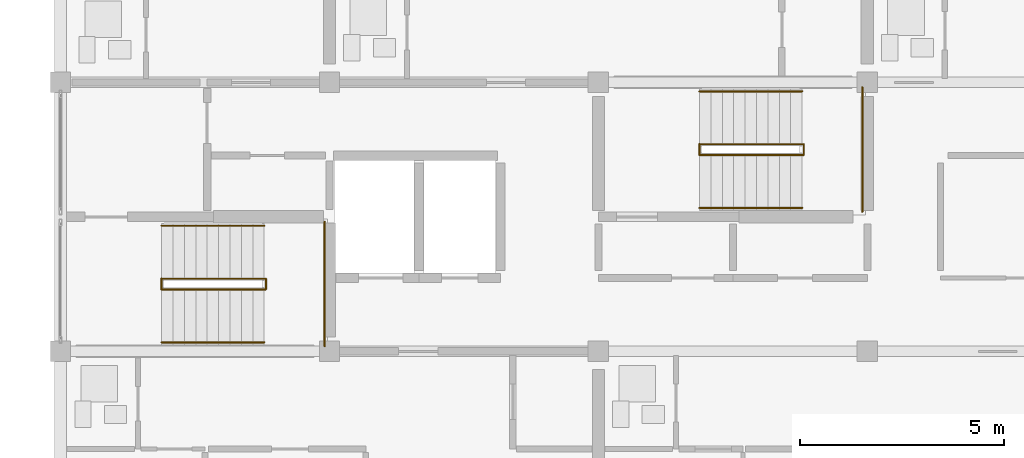
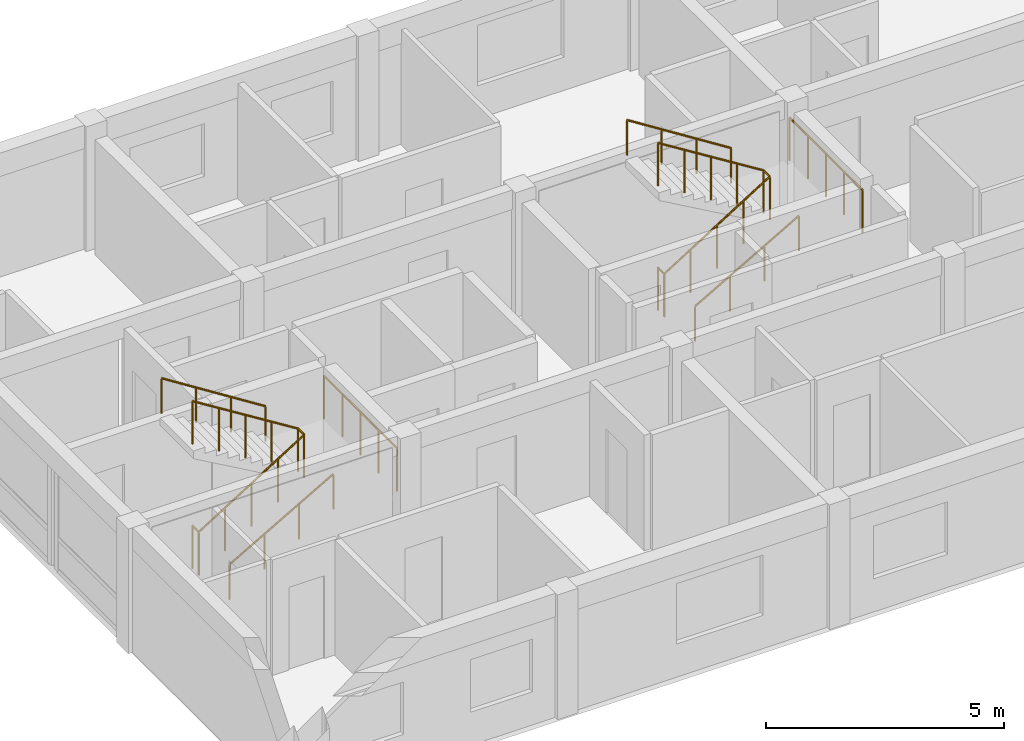
# One storey, part 43 of 45: 10 railings.
"""IFC4 building model written with IfcOpenShell, lengths in metres."""

from ifc_helpers import new_model, si_unit, direction, frame, origin, origin_2d, place, context, subcontext, project, spatial, circle, extrude, material, type_object, element, save


model = new_model("IFC4")

# Units and contexts
model_context = context("Model", 3, precision=1e-05, world=origin(), true_north=direction((0.0, 1.0)))
body_context = subcontext(model_context, "Body", "Model", "MODEL_VIEW")
ifc_project = project(units=[si_unit("LENGTHUNIT", "METRE"), si_unit("AREAUNIT", "SQUARE_METRE"), si_unit("VOLUMEUNIT", "CUBIC_METRE"), si_unit("PLANEANGLEUNIT", "RADIAN"), si_unit("MASSUNIT", "GRAM", prefix="KILO")], contexts=[model_context])

# Site, building, storey
site_placement = place(None, origin())
site = spatial("IfcSite", under=ifc_project, at=site_placement, CompositionType="ELEMENT")
building_placement = place(site_placement, origin())
building = spatial("IfcBuilding", under=site, at=building_placement, Name="Kernevlak Ridge Housing Community", CompositionType="ELEMENT")
storey_placement = place(building_placement, frame((0.0, 0.0, 14.800048828125)))
storey = spatial("IfcBuildingStorey", under=building, at=storey_placement, Name="L04", CompositionType="ELEMENT", Elevation=14.800048828125)

# Railings
ifc_material_1 = material(Name="Steel S355", Category="steel")
railing_type_1 = type_object("IfcRailingType", Name="GR-02", PredefinedType="GUARDRAIL", material=ifc_material_1)
railing_1_placement = place(storey_placement, frame((121.8798828125, 90.7099609375, 0.0)))
element("IfcRailing", 1, at=railing_1_placement, inside=storey, type_object=railing_type_1, Name="Stair ST-B1 L04 well slot guard", PredefinedType="GUARDRAIL", context=body_context, shape_type="SweptSolid", body=[
    extrude(circle(Radius=0.02392578125, at=origin_2d()), frame((0.0, 0.0, 1.09619140625), z_axis=(0.0, 1.0, 0.0), x_axis=(-1.0, 0.0, 0.0)), (0.0, 0.0, 1.0), 0.280029296875),
    extrude(circle(Radius=0.02099609375, at=origin_2d()), origin(), (0.0, 0.0, 1.0), 1.072021484375),
    extrude(circle(Radius=0.02099609375, at=origin_2d()), frame((0.0, 0.280029296875, 0.0)), (0.0, 0.0, 1.0), 1.072021484375),
])
railing_2_placement = place(storey_placement, frame((121.8798828125, 90.719970703125, 0.0)))
element("IfcRailing", 2, at=railing_2_placement, inside=storey, type_object=railing_type_1, Name="Stair ST-B1 L04 inner well guardrail", PredefinedType="GUARDRAIL", context=body_context, shape_type="SweptSolid", body=[
    extrude(circle(Radius=0.02392578125, at=origin_2d()), frame((0.0, 0.0, 1.09619140625), z_axis=(0.848025563165, 0.0, 0.529955322851), x_axis=(0.0, 1.0, 0.0)), (0.0, 0.0, 1.0), 3.018798828125),
    extrude(circle(Radius=0.02392578125, at=origin_2d()), frame((2.56005859375, 0.0, 2.69580078125), z_axis=(0.0, 1.0, 0.0), x_axis=(-1.0, 0.0, 0.0)), (0.0, 0.0, 1.0), 0.260009765625),
    extrude(circle(Radius=0.02392578125, at=origin_2d()), frame((2.56005859375, 0.260009765625, 2.69580078125), z_axis=(-0.847989217509, 0.0, 0.530013478119), x_axis=(0.0, -1.0, 0.0)), (0.0, 0.0, 1.0), 3.01904296875),
    extrude(circle(Radius=0.02099609375, at=origin_2d()), origin(), (0.0, 0.0, 1.0), 1.072021484375),
    extrude(circle(Radius=0.02099609375, at=origin_2d()), frame((0.64013671875, 0.0, 0.39990234375)), (0.0, 0.0, 1.0), 1.072021484375),
    extrude(circle(Radius=0.02099609375, at=origin_2d()), frame((1.280029296875, 0.0, 0.7998046875)), (0.0, 0.0, 1.0), 1.072021484375),
    extrude(circle(Radius=0.02099609375, at=origin_2d()), frame((1.919921875, 0.0, 1.199951171875)), (0.0, 0.0, 1.0), 1.072021484375),
    extrude(circle(Radius=0.02099609375, at=origin_2d()), frame((2.56005859375, 0.0, 1.599853515625)), (0.0, 0.0, 1.0), 1.072021484375),
    extrude(circle(Radius=0.02099609375, at=origin_2d()), frame((2.56005859375, 0.260009765625, 1.599853515625)), (0.0, 0.0, 1.0), 1.072021484375),
    extrude(circle(Radius=0.02099609375, at=origin_2d()), frame((1.919921875, 0.260009765625, 2.0)), (0.0, 0.0, 1.0), 1.072021484375),
    extrude(circle(Radius=0.02099609375, at=origin_2d()), frame((1.280029296875, 0.260009765625, 2.39990234375)), (0.0, 0.0, 1.0), 1.072021484375),
    extrude(circle(Radius=0.02099609375, at=origin_2d()), frame((0.64013671875, 0.260009765625, 2.7998046875)), (0.0, 0.0, 1.0), 1.072021484375),
    extrude(circle(Radius=0.02099609375, at=origin_2d()), frame((0.0, 0.260009765625, 3.199951171875)), (0.0, 0.0, 1.0), 1.072021484375),
])
railing_3_placement = place(storey_placement, frame((125.8798828125, 89.320068359375, 1.599853515625)))
element("IfcRailing", 3, at=railing_3_placement, inside=storey, type_object=railing_type_1, Name="Stair ST-B1 L04 half-landing guard", PredefinedType="GUARDRAIL", context=body_context, shape_type="SweptSolid", body=[
    extrude(circle(Radius=0.02392578125, at=origin_2d()), frame((0.0, 0.0, 1.09619140625), z_axis=(0.0, 1.0, 0.0), x_axis=(-1.0, 0.0, 0.0)), (0.0, 0.0, 1.0), 3.059814453125),
    extrude(circle(Radius=0.02099609375, at=origin_2d()), origin(), (0.0, 0.0, 1.0), 1.072021484375),
    extrude(circle(Radius=0.02099609375, at=origin_2d()), frame((0.0, 0.764892578125, 0.0)), (0.0, 0.0, 1.0), 1.072021484375),
    extrude(circle(Radius=0.02099609375, at=origin_2d()), frame((0.0, 1.52978515625, 0.0)), (0.0, 0.0, 1.0), 1.072021484375),
    extrude(circle(Radius=0.02099609375, at=origin_2d()), frame((0.0, 2.294921875, 0.0)), (0.0, 0.0, 1.0), 1.072021484375),
    extrude(circle(Radius=0.02099609375, at=origin_2d()), frame((0.0, 3.059814453125, 0.0)), (0.0, 0.0, 1.0), 1.072021484375),
])
railing_4_placement = place(storey_placement, frame((135.080078125, 94.010009765625, 0.0)))
element("IfcRailing", 4, at=railing_4_placement, inside=storey, type_object=railing_type_1, Name="Stair ST-B2 L04 well slot guard", PredefinedType="GUARDRAIL", context=body_context, shape_type="SweptSolid", body=[
    extrude(circle(Radius=0.02392578125, at=origin_2d()), frame((0.0, 0.0, 1.09619140625), z_axis=(0.0, 1.0, 0.0), x_axis=(-1.0, 0.0, 0.0)), (0.0, 0.0, 1.0), 0.280029296875),
    extrude(circle(Radius=0.02099609375, at=origin_2d()), origin(), (0.0, 0.0, 1.0), 1.072021484375),
    extrude(circle(Radius=0.02099609375, at=origin_2d()), frame((0.0, 0.280029296875, 0.0)), (0.0, 0.0, 1.0), 1.072021484375),
])
railing_5_placement = place(storey_placement, frame((135.080078125, 94.02001953125, 0.0)))
element("IfcRailing", 5, at=railing_5_placement, inside=storey, type_object=railing_type_1, Name="Stair ST-B2 L04 inner well guardrail", PredefinedType="GUARDRAIL", context=body_context, shape_type="SweptSolid", body=[
    extrude(circle(Radius=0.02392578125, at=origin_2d()), frame((0.0, 0.0, 1.09619140625), z_axis=(0.848002847666, 0.0, 0.529991670077), x_axis=(0.0, 1.0, 0.0)), (0.0, 0.0, 1.0), 3.0185546875),
    extrude(circle(Radius=0.02392578125, at=origin_2d()), frame((2.559814453125, 0.0, 2.69580078125), z_axis=(0.0, 1.0, 0.0), x_axis=(-1.0, 0.0, 0.0)), (0.0, 0.0, 1.0), 0.260009765625),
    extrude(circle(Radius=0.02392578125, at=origin_2d()), frame((2.559814453125, 0.260009765625, 2.69580078125), z_axis=(-0.847966497998, 0.0, 0.530049826217), x_axis=(0.0, -1.0, 0.0)), (0.0, 0.0, 1.0), 3.018798828125),
    extrude(circle(Radius=0.02099609375, at=origin_2d()), origin(), (0.0, 0.0, 1.0), 1.072021484375),
    extrude(circle(Radius=0.02099609375, at=origin_2d()), frame((0.639892578125, 0.0, 0.39990234375)), (0.0, 0.0, 1.0), 1.072021484375),
    extrude(circle(Radius=0.02099609375, at=origin_2d()), frame((1.27978515625, 0.0, 0.7998046875)), (0.0, 0.0, 1.0), 1.072021484375),
    extrude(circle(Radius=0.02099609375, at=origin_2d()), frame((1.919921875, 0.0, 1.199951171875)), (0.0, 0.0, 1.0), 1.072021484375),
    extrude(circle(Radius=0.02099609375, at=origin_2d()), frame((2.559814453125, 0.0, 1.599853515625)), (0.0, 0.0, 1.0), 1.072021484375),
    extrude(circle(Radius=0.02099609375, at=origin_2d()), frame((2.559814453125, 0.260009765625, 1.599853515625)), (0.0, 0.0, 1.0), 1.072021484375),
    extrude(circle(Radius=0.02099609375, at=origin_2d()), frame((1.919921875, 0.260009765625, 2.0)), (0.0, 0.0, 1.0), 1.072021484375),
    extrude(circle(Radius=0.02099609375, at=origin_2d()), frame((1.27978515625, 0.260009765625, 2.39990234375)), (0.0, 0.0, 1.0), 1.072021484375),
    extrude(circle(Radius=0.02099609375, at=origin_2d()), frame((0.639892578125, 0.260009765625, 2.7998046875)), (0.0, 0.0, 1.0), 1.072021484375),
    extrude(circle(Radius=0.02099609375, at=origin_2d()), frame((0.0, 0.260009765625, 3.199951171875)), (0.0, 0.0, 1.0), 1.072021484375),
])
railing_6_placement = place(storey_placement, frame((139.080078125, 92.6201171875, 1.599853515625)))
element("IfcRailing", 6, at=railing_6_placement, inside=storey, type_object=railing_type_1, Name="Stair ST-B2 L04 half-landing guard", PredefinedType="GUARDRAIL", context=body_context, shape_type="SweptSolid", body=[
    extrude(circle(Radius=0.02392578125, at=origin_2d()), frame((0.0, 0.0, 1.09619140625), z_axis=(0.0, 1.0, 0.0), x_axis=(-1.0, 0.0, 0.0)), (0.0, 0.0, 1.0), 3.059814453125),
    extrude(circle(Radius=0.02099609375, at=origin_2d()), origin(), (0.0, 0.0, 1.0), 1.072021484375),
    extrude(circle(Radius=0.02099609375, at=origin_2d()), frame((0.0, 0.764892578125, 0.0)), (0.0, 0.0, 1.0), 1.072021484375),
    extrude(circle(Radius=0.02099609375, at=origin_2d()), frame((0.0, 1.52978515625, 0.0)), (0.0, 0.0, 1.0), 1.072021484375),
    extrude(circle(Radius=0.02099609375, at=origin_2d()), frame((0.0, 2.294921875, 0.0)), (0.0, 0.0, 1.0), 1.072021484375),
    extrude(circle(Radius=0.02099609375, at=origin_2d()), frame((0.0, 3.059814453125, 0.0)), (0.0, 0.0, 1.0), 1.072021484375),
])
ifc_material_2 = material(Name="Stainless steel EN 1.4401", Category="steel")
railing_type_2 = type_object("IfcRailingType", Name="HR-01", PredefinedType="HANDRAIL", material=ifc_material_2)
railing_7_placement = place(storey_placement, frame((121.8798828125, 89.419921875, 0.159912109375)))
element("IfcRailing", 7, at=railing_7_placement, inside=storey, type_object=railing_type_2, Name="Stair ST-B1 L04 flight 1 handrail", PredefinedType="HANDRAIL", context=body_context, shape_type="SweptSolid", body=[
    extrude(circle(Radius=0.02392578125, at=origin_2d()), frame((0.0, 0.0, 0.89599609375), z_axis=(0.868253494771, 0.0, 0.496120820787), x_axis=(0.0, 1.0, 0.0)), (0.0, 0.0, 1.0), 2.90234375),
    extrude(circle(Radius=0.02099609375, at=origin_2d()), origin(), (0.0, 0.0, 1.0), 0.871826171875),
    extrude(circle(Radius=0.02099609375, at=origin_2d()), frame((0.840087890625, 0.0, 0.47998046875)), (0.0, 0.0, 1.0), 0.871826171875),
    extrude(circle(Radius=0.02099609375, at=origin_2d()), frame((1.679931640625, 0.0, 0.9599609375)), (0.0, 0.0, 1.0), 0.871826171875),
    extrude(circle(Radius=0.02099609375, at=origin_2d()), frame((2.52001953125, 0.0, 1.43994140625)), (0.0, 0.0, 1.0), 0.871826171875),
])
railing_8_placement = place(storey_placement, frame((124.39990234375, 92.280029296875, 1.599853515625)))
element("IfcRailing", 8, at=railing_8_placement, inside=storey, type_object=railing_type_2, Name="Stair ST-B1 L04 flight 2 handrail", PredefinedType="HANDRAIL", context=body_context, shape_type="SweptSolid", body=[
    extrude(circle(Radius=0.02392578125, at=origin_2d()), frame((0.0, 0.0, 0.89599609375), z_axis=(-0.844199891302, 0.0, 0.536028491338), x_axis=(0.0, -1.0, 0.0)), (0.0, 0.0, 1.0), 2.985107421875),
    extrude(circle(Radius=0.02099609375, at=origin_2d()), origin(), (0.0, 0.0, 1.0), 0.871826171875),
    extrude(circle(Radius=0.02099609375, at=origin_2d()), frame((-0.840087890625, 0.0, 0.533447265625)), (0.0, 0.0, 1.0), 0.871826171875),
    extrude(circle(Radius=0.02099609375, at=origin_2d()), frame((-1.679931640625, 0.0, 1.066650390625)), (0.0, 0.0, 1.0), 0.871826171875),
    extrude(circle(Radius=0.02099609375, at=origin_2d()), frame((-2.52001953125, 0.0, 1.60009765625)), (0.0, 0.0, 1.0), 0.871826171875),
])
railing_9_placement = place(storey_placement, frame((135.080078125, 92.719970703125, 0.159912109375)))
element("IfcRailing", 9, at=railing_9_placement, inside=storey, type_object=railing_type_2, Name="Stair ST-B2 L04 flight 1 handrail", PredefinedType="HANDRAIL", context=body_context, shape_type="SweptSolid", body=[
    extrude(circle(Radius=0.02392578125, at=origin_2d()), frame((0.0, 0.0, 0.89599609375), z_axis=(0.868253494771, 0.0, 0.496120820787), x_axis=(0.0, 1.0, 0.0)), (0.0, 0.0, 1.0), 2.90234375),
    extrude(circle(Radius=0.02099609375, at=origin_2d()), origin(), (0.0, 0.0, 1.0), 0.871826171875),
    extrude(circle(Radius=0.02099609375, at=origin_2d()), frame((0.840087890625, 0.0, 0.47998046875)), (0.0, 0.0, 1.0), 0.871826171875),
    extrude(circle(Radius=0.02099609375, at=origin_2d()), frame((1.679931640625, 0.0, 0.9599609375)), (0.0, 0.0, 1.0), 0.871826171875),
    extrude(circle(Radius=0.02099609375, at=origin_2d()), frame((2.52001953125, 0.0, 1.43994140625)), (0.0, 0.0, 1.0), 0.871826171875),
])
railing_10_placement = place(storey_placement, frame((137.60009765625, 95.580078125, 1.599853515625)))
element("IfcRailing", 10, at=railing_10_placement, inside=storey, type_object=railing_type_2, Name="Stair ST-B2 L04 flight 2 handrail", PredefinedType="HANDRAIL", context=body_context, shape_type="SweptSolid", body=[
    extrude(circle(Radius=0.02392578125, at=origin_2d()), frame((0.0, 0.0, 0.89599609375), z_axis=(-0.844199891302, 0.0, 0.536028491338), x_axis=(0.0, -1.0, 0.0)), (0.0, 0.0, 1.0), 2.985107421875),
    extrude(circle(Radius=0.02099609375, at=origin_2d()), origin(), (0.0, 0.0, 1.0), 0.871826171875),
    extrude(circle(Radius=0.02099609375, at=origin_2d()), frame((-0.840087890625, 0.0, 0.533447265625)), (0.0, 0.0, 1.0), 0.871826171875),
    extrude(circle(Radius=0.02099609375, at=origin_2d()), frame((-1.679931640625, 0.0, 1.066650390625)), (0.0, 0.0, 1.0), 0.871826171875),
    extrude(circle(Radius=0.02099609375, at=origin_2d()), frame((-2.52001953125, 0.0, 1.60009765625)), (0.0, 0.0, 1.0), 0.871826171875),
])

save(model, "model.ifc")
